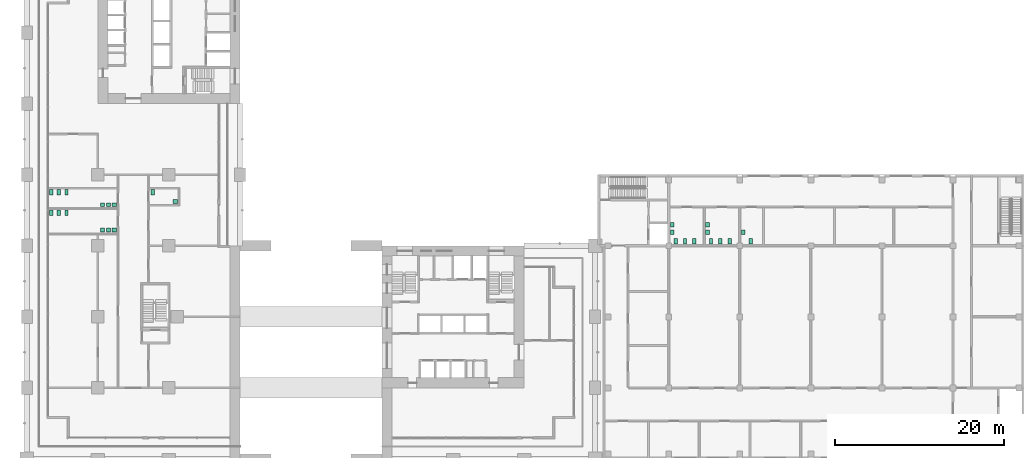
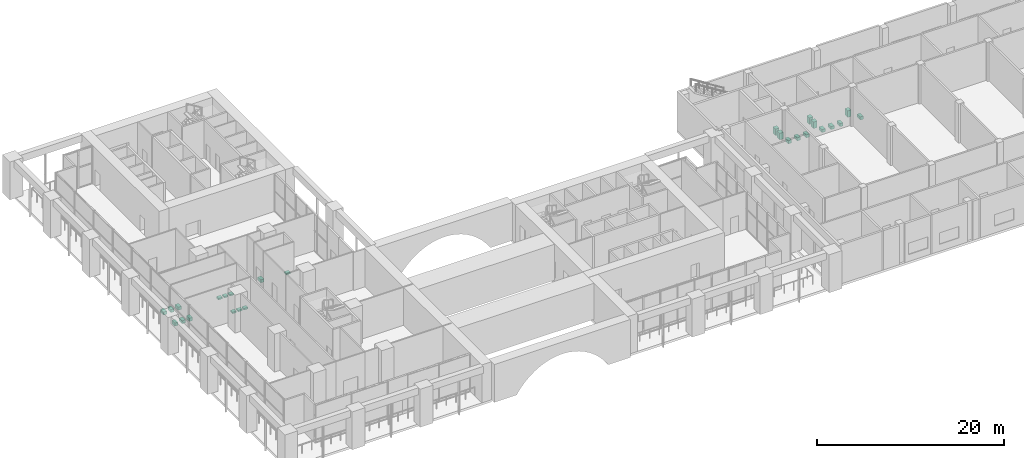
# One storey, part 26 of 26: 26 sanitary terminals.
"""IFC4 building model written with IfcOpenShell, lengths in metres."""

from ifc_helpers import new_model, si_unit, direction, frame, origin, origin_2d, place, context, subcontext, project, spatial, rectangle, extrude, material, element, save


model = new_model("IFC4")

# Units and contexts
model_context = context("Model", 3, precision=1e-05, world=origin(), true_north=direction((0.0, 1.0)))
body_context = subcontext(model_context, "Body", "Model", "MODEL_VIEW")
ifc_project = project(units=[si_unit("LENGTHUNIT", "METRE"), si_unit("AREAUNIT", "SQUARE_METRE"), si_unit("VOLUMEUNIT", "CUBIC_METRE"), si_unit("PLANEANGLEUNIT", "RADIAN"), si_unit("MASSUNIT", "GRAM", prefix="KILO")], contexts=[model_context])

# Site, building, storey
site_placement = place(None, origin())
site = spatial("IfcSite", under=ifc_project, at=site_placement, CompositionType="ELEMENT")
building_placement = place(site_placement, origin())
building = spatial("IfcBuilding", under=site, at=building_placement, Name="Vermilion Gate Residences", CompositionType="ELEMENT")
storey_placement = place(building_placement, frame((0.0, 0.0, 9.0)))
storey = spatial("IfcBuildingStorey", under=building, at=storey_placement, Name="L01", CompositionType="ELEMENT", Elevation=9.0)

# Sanitary terminals
ifc_material = material(Name="Vitreous china")
for number, where, z_axis, x_axis, name in (
    (1, (2.89990234375, 29.10009765625, 0.0), (0.0, 0.0, 1.0), (1.0, 0.0, 0.0), "Water closet 1"),
    (2, (3.800048828125, 29.10009765625, 0.0), (0.0, 0.0, 1.0), (1.0, 0.0, 0.0), "Water closet 2"),
    (3, (4.699951171875, 29.10009765625, 0.0), (0.0, 0.0, 1.0), (1.0, 0.0, 0.0), "Water closet 3"),
):
    element("IfcSanitaryTerminal", number, at=place(storey_placement, frame(where, z_axis=z_axis, x_axis=x_axis)), inside=storey, material=ifc_material, Name=name, PredefinedType="TOILETPAN", context=body_context, shape_type="SweptSolid", body=[
        extrude(rectangle(XDim=0.39990234375, YDim=0.64990234375, at=origin_2d()), origin(), (0.0, 0.0, 1.0), 0.39990234375),
    ])
for number, where, z_axis, x_axis, name in (
    (4, (10.35009765625, 27.050048828125, 0.7001953125), (0.0, 0.0, 1.0), (1.0, 0.0, 0.0), "Wash basin 4"),
    (5, (9.64990234375, 27.050048828125, 0.7001953125), (0.0, 0.0, 1.0), (1.0, 0.0, 0.0), "Wash basin 5"),
    (6, (8.949951171875, 27.050048828125, 0.7001953125), (0.0, 0.0, 1.0), (1.0, 0.0, 0.0), "Wash basin 6"),
):
    element("IfcSanitaryTerminal", number, at=place(storey_placement, frame(where, z_axis=z_axis, x_axis=x_axis)), inside=storey, material=ifc_material, Name=name, PredefinedType="WASHHANDBASIN", context=body_context, shape_type="SweptSolid", body=[
        extrude(rectangle(XDim=0.5, YDim=0.449951171875, at=origin_2d()), origin(), (0.0, 0.0, 1.0), 0.199951171875),
    ])
for number, where, z_axis, x_axis, name in (
    (7, (2.89990234375, 31.5, 0.0), (0.0, 0.0, 1.0), (1.0, 0.0, 0.0), "Water closet 7"),
    (8, (3.800048828125, 31.5, 0.0), (0.0, 0.0, 1.0), (1.0, 0.0, 0.0), "Water closet 8"),
    (9, (4.699951171875, 31.5, 0.0), (0.0, 0.0, 1.0), (1.0, 0.0, 0.0), "Water closet 9"),
):
    element("IfcSanitaryTerminal", number, at=place(storey_placement, frame(where, z_axis=z_axis, x_axis=x_axis)), inside=storey, material=ifc_material, Name=name, PredefinedType="TOILETPAN", context=body_context, shape_type="SweptSolid", body=[
        extrude(rectangle(XDim=0.39990234375, YDim=0.64990234375, at=origin_2d()), origin(), (0.0, 0.0, 1.0), 0.39990234375),
    ])
for number, where, z_axis, x_axis, name in (
    (10, (10.35009765625, 30.050048828125, 0.7001953125), (0.0, 0.0, 1.0), (1.0, 0.0, 0.0), "Wash basin 10"),
    (11, (9.64990234375, 30.050048828125, 0.7001953125), (0.0, 0.0, 1.0), (1.0, 0.0, 0.0), "Wash basin 11"),
    (12, (8.949951171875, 30.050048828125, 0.7001953125), (0.0, 0.0, 1.0), (1.0, 0.0, 0.0), "Wash basin 12"),
):
    element("IfcSanitaryTerminal", number, at=place(storey_placement, frame(where, z_axis=z_axis, x_axis=x_axis)), inside=storey, material=ifc_material, Name=name, PredefinedType="WASHHANDBASIN", context=body_context, shape_type="SweptSolid", body=[
        extrude(rectangle(XDim=0.5, YDim=0.449951171875, at=origin_2d()), origin(), (0.0, 0.0, 1.0), 0.199951171875),
    ])
sanitary_terminal_1_placement = place(storey_placement, frame((14.89990234375, 31.5, 0.0), z_axis=(0.0, 0.0, 1.0), x_axis=(1.0, 0.0, 0.0)))
element("IfcSanitaryTerminal", 13, at=sanitary_terminal_1_placement, inside=storey, material=ifc_material, Name="Water closet 13", PredefinedType="TOILETPAN", context=body_context, shape_type="SweptSolid", body=[
    extrude(rectangle(XDim=0.39990234375, YDim=0.64990234375, at=origin_2d()), origin(), (0.0, 0.0, 1.0), 0.39990234375),
])
sanitary_terminal_2_placement = place(storey_placement, frame((17.550048828125, 30.449951171875, 0.7001953125), z_axis=(0.0, 0.0, 1.0), x_axis=(1.0, 0.0, 0.0)))
element("IfcSanitaryTerminal", 14, at=sanitary_terminal_2_placement, inside=storey, material=ifc_material, Name="Wash basin 14", PredefinedType="WASHHANDBASIN", context=body_context, shape_type="SweptSolid", body=[
    extrude(rectangle(XDim=0.5, YDim=0.449951171875, at=origin_2d()), origin(), (0.0, 0.0, 1.0), 0.199951171875),
])
for number, where, z_axis, x_axis, name in (
    (15, (76.72509765625, 25.75, 0.0), (0.0, 0.0, 1.0), (1.0, 0.0, 0.0), "WC pan Men's WC 1"),
    (16, (77.824951171875, 25.75, 0.0), (0.0, 0.0, 1.0), (1.0, 0.0, 0.0), "WC pan Men's WC 2"),
    (17, (78.925048828125, 25.75, 0.0), (0.0, 0.0, 1.0), (1.0, 0.0, 0.0), "WC pan Men's WC 3"),
):
    element("IfcSanitaryTerminal", number, at=place(storey_placement, frame(where, z_axis=z_axis, x_axis=x_axis)), inside=storey, material=ifc_material, Name=name, PredefinedType="TOILETPAN", context=body_context, shape_type="SweptSolid", body=[
        extrude(rectangle(XDim=0.39990234375, YDim=0.64990234375, at=origin_2d()), origin(), (0.0, 0.0, 1.0), 0.39990234375),
    ])
for number, where, z_axis, x_axis, name in (
    (18, (76.324951171875, 26.800048828125, 0.0), (0.0, 0.0, 1.0), (1.0, 0.0, 0.0), "Basin Men's WC 1"),
    (19, (76.324951171875, 27.699951171875, 0.0), (0.0, 0.0, 1.0), (1.0, 0.0, 0.0), "Basin Men's WC 2"),
):
    element("IfcSanitaryTerminal", number, at=place(storey_placement, frame(where, z_axis=z_axis, x_axis=x_axis)), inside=storey, material=ifc_material, Name=name, PredefinedType="WASHHANDBASIN", context=body_context, shape_type="SweptSolid", body=[
        extrude(rectangle(XDim=0.449951171875, YDim=0.550048828125, at=origin_2d()), origin(), (0.0, 0.0, 1.0), 0.85009765625),
    ])
for number, where, z_axis, x_axis, name in (
    (20, (80.89990234375, 25.75, 0.0), (0.0, 0.0, 1.0), (1.0, 0.0, 0.0), "WC pan Women's WC 1"),
    (21, (82.0, 25.75, 0.0), (0.0, 0.0, 1.0), (1.0, 0.0, 0.0), "WC pan Women's WC 2"),
    (22, (83.10009765625, 25.75, 0.0), (0.0, 0.0, 1.0), (1.0, 0.0, 0.0), "WC pan Women's WC 3"),
):
    element("IfcSanitaryTerminal", number, at=place(storey_placement, frame(where, z_axis=z_axis, x_axis=x_axis)), inside=storey, material=ifc_material, Name=name, PredefinedType="TOILETPAN", context=body_context, shape_type="SweptSolid", body=[
        extrude(rectangle(XDim=0.39990234375, YDim=0.64990234375, at=origin_2d()), origin(), (0.0, 0.0, 1.0), 0.39990234375),
    ])
for number, where, z_axis, x_axis, name in (
    (23, (80.5, 26.800048828125, 0.0), (0.0, 0.0, 1.0), (1.0, 0.0, 0.0), "Basin Women's WC 1"),
    (24, (80.5, 27.699951171875, 0.0), (0.0, 0.0, 1.0), (1.0, 0.0, 0.0), "Basin Women's WC 2"),
):
    element("IfcSanitaryTerminal", number, at=place(storey_placement, frame(where, z_axis=z_axis, x_axis=x_axis)), inside=storey, material=ifc_material, Name=name, PredefinedType="WASHHANDBASIN", context=body_context, shape_type="SweptSolid", body=[
        extrude(rectangle(XDim=0.449951171875, YDim=0.550048828125, at=origin_2d()), origin(), (0.0, 0.0, 1.0), 0.85009765625),
    ])
sanitary_terminal_3_placement = place(storey_placement, frame((85.60009765625, 25.75, 0.0), z_axis=(0.0, 0.0, 1.0), x_axis=(1.0, 0.0, 0.0)))
element("IfcSanitaryTerminal", 25, at=sanitary_terminal_3_placement, inside=storey, material=ifc_material, Name="WC pan Accessible WC 1", PredefinedType="TOILETPAN", context=body_context, shape_type="SweptSolid", body=[
    extrude(rectangle(XDim=0.39990234375, YDim=0.64990234375, at=origin_2d()), origin(), (0.0, 0.0, 1.0), 0.39990234375),
])
sanitary_terminal_4_placement = place(storey_placement, frame((84.699951171875, 26.800048828125, 0.0), z_axis=(0.0, 0.0, 1.0), x_axis=(1.0, 0.0, 0.0)))
element("IfcSanitaryTerminal", 26, at=sanitary_terminal_4_placement, inside=storey, material=ifc_material, Name="Basin Accessible WC 1", PredefinedType="WASHHANDBASIN", context=body_context, shape_type="SweptSolid", body=[
    extrude(rectangle(XDim=0.449951171875, YDim=0.550048828125, at=origin_2d()), origin(), (0.0, 0.0, 1.0), 0.85009765625),
])

save(model, "model.ifc")
